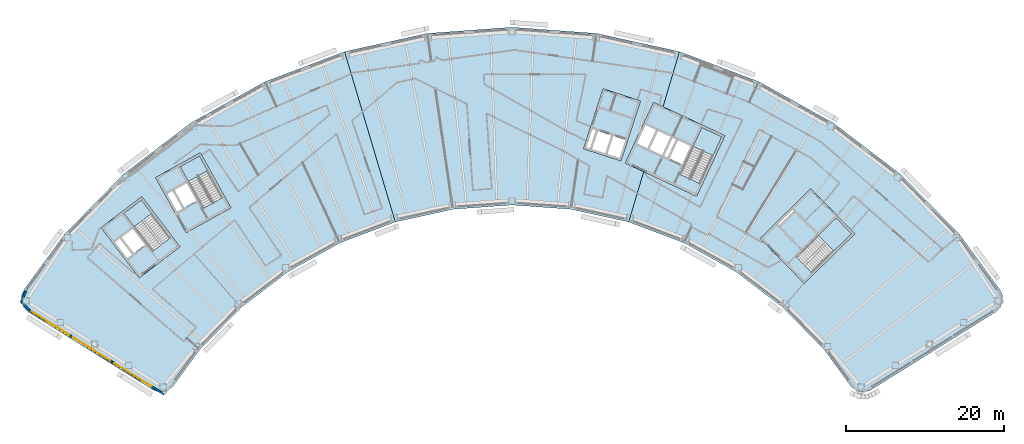
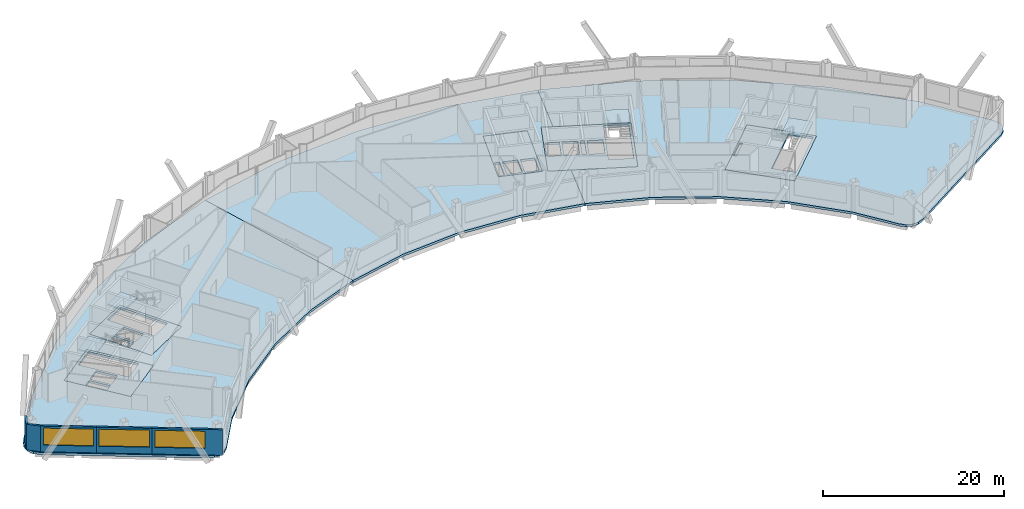
# One storey, part 4 of 14: 12 slabs, 5 walls, 3 windows, 3 openings, 4 elements without a shape of their own.
"""IFC4 building model written with IfcOpenShell, lengths in metres."""

from ifc_helpers import new_model, si_unit, direction, frame, frame_2d, origin, place, context, subcontext, project, spatial, polyline, rectangle, outline, extrude, material, layer, layer_set, type_object, element, fill, aggregate, save


model = new_model("IFC4")

# Units and contexts
model_context = context("Model", 3, precision=1e-05, world=origin(), true_north=direction((0.0, 1.0)))
body_context = subcontext(model_context, "Body", "Model", "MODEL_VIEW")
ifc_project = project(units=[si_unit("LENGTHUNIT", "METRE"), si_unit("AREAUNIT", "SQUARE_METRE"), si_unit("VOLUMEUNIT", "CUBIC_METRE"), si_unit("PLANEANGLEUNIT", "RADIAN"), si_unit("MASSUNIT", "GRAM", prefix="KILO")], contexts=[model_context])

# Site, building, storey
site_placement = place(None, origin())
site = spatial("IfcSite", under=ifc_project, at=site_placement, CompositionType="ELEMENT")
building_placement = place(site_placement, origin())
building = spatial("IfcBuilding", under=site, at=building_placement, Name="Tuul Gate Civic Tower", CompositionType="ELEMENT")
storey_placement = place(building_placement, frame((0.0, 0.0, 265.199951171875)))
storey = spatial("IfcBuildingStorey", under=building, at=storey_placement, Name="Level 60", CompositionType="ELEMENT", Elevation=265.199951171875)

# Slabs
ifc_material_1 = material(Name="Concrete C40/50", Category="concrete")
ifc_layer_1 = layer(ifc_material_1, 0.300048828125)
ifc_layer_set_1 = layer_set([ifc_layer_1], Name="Concrete C40/50")
slab_type_1 = type_object("IfcSlabType", Name="Core floor slab 300", PredefinedType="FLOOR", material=ifc_layer_set_1)
slab_1_placement = place(storey_placement, frame((0.0, 0.0, -0.300048828125)))
element("IfcSlab", 1, at=slab_1_placement, inside=storey, type_object=slab_type_1, Name="FLOOR SLAB", PredefinedType="FLOOR", context=body_context, shape_type="SweptSolid", body=[
    extrude(outline(polyline([(-31.10009765625, -13.7890625), (-35.946044921875, -7.423828125), (-41.11767578125, -11.361572265625), (-36.271484375, -17.726806640625), (-31.10009765625, -13.7890625)]), holes=[polyline([(-35.561767578125, -13.541259765625), (-37.1064453125, -11.512451171875), (-38.498779296875, -12.572509765625), (-36.9541015625, -14.6015625), (-35.561767578125, -13.541259765625)]), polyline([(-37.19287109375, -14.783203125), (-38.737548828125, -12.75439453125), (-39.45361328125, -13.299560546875), (-37.908935546875, -15.328369140625), (-37.19287109375, -14.783203125)]), polyline([(-32.33935546875, -12.65771484375), (-34.56591796875, -14.352783203125), (-38.229736328125, -9.54052734375), (-36.003173828125, -7.845458984375), (-32.33935546875, -12.65771484375)])]), origin(), (0.0, 0.0, 1.0), 0.300048828125),
])
slab_2_placement = place(storey_placement, frame((0.0, 0.0, -0.300048828125)))
element("IfcSlab", 2, at=slab_2_placement, inside=storey, type_object=slab_type_1, Name="FLOOR SLAB", PredefinedType="FLOOR", context=body_context, shape_type="SweptSolid", body=[
    extrude(outline(polyline([(-24.638916015625, -8.846923828125), (-28.51708984375, -1.849853515625), (-34.2021484375, -5.0009765625), (-30.32421875, -11.998046875), (-24.638916015625, -8.846923828125)]), holes=[polyline([(-29.0185546875, -7.958740234375), (-30.254638671875, -5.728515625), (-31.785400390625, -6.576904296875), (-30.54931640625, -8.80712890625), (-29.0185546875, -7.958740234375)]), polyline([(-30.8115234375, -8.95263671875), (-32.047607421875, -6.72216796875), (-32.8349609375, -7.158447265625), (-31.5986328125, -9.388916015625), (-30.8115234375, -8.95263671875)]), polyline([(-25.702392578125, -7.548828125), (-28.14990234375, -8.905517578125), (-31.08203125, -3.615234375), (-28.63427734375, -2.2587890625), (-25.702392578125, -7.548828125)])]), origin(), (0.0, 0.0, 1.0), 0.300048828125),
])
slab_3_placement = place(storey_placement, frame((0.0, 0.0, -0.300048828125)))
element("IfcSlab", 3, at=slab_3_placement, inside=storey, type_object=slab_type_1, Name="FLOOR SLAB", PredefinedType="FLOOR", context=body_context, shape_type="SweptSolid", body=[
    extrude(outline(polyline([(48.117919921875, -18.43310546875), (54.545166015625, -12.1328125), (48.945068359375, -6.419921875), (42.517822265625, -12.719970703125), (48.117919921875, -18.43310546875)]), holes=[polyline([(44.93896484375, -11.046875), (46.760009765625, -9.261962890625), (46.514892578125, -9.011962890625), (44.69384765625, -10.797119140625), (44.93896484375, -11.046875)]), polyline([(49.086181640625, -17.062744140625), (47.12744140625, -15.064208984375), (52.160888671875, -10.130126953125), (54.11962890625, -12.128662109375), (49.086181640625, -17.062744140625)])]), origin(), (0.0, 0.0, 1.0), 0.300048828125),
])
slab_4_placement = place(storey_placement, frame((0.0, 0.0, -0.300048828125)))
element("IfcSlab", 4, at=slab_4_placement, inside=storey, type_object=slab_type_1, Name="FLOOR SLAB", PredefinedType="FLOOR", context=body_context, shape_type="SweptSolid", body=[
    extrude(outline(polyline([(34.465087890625, -7.385986328125), (38.056884765625, 0.31787109375), (28.993896484375, 4.543701171875), (25.40185546875, -3.159912109375), (34.465087890625, -7.385986328125)]), holes=[polyline([(32.60888671875, -3.32080078125), (33.6865234375, -1.009765625), (32.1005859375, -0.27001953125), (31.02294921875, -2.581298828125), (32.60888671875, -3.32080078125)]), polyline([(30.0712890625, -2.137451171875), (31.14892578125, 0.173583984375), (29.562744140625, 0.9130859375), (28.4853515625, -1.39794921875), (30.0712890625, -2.137451171875)]), polyline([(30.751220703125, -2.454345703125), (31.82861328125, -0.143310546875), (31.4208984375, 0.046875), (30.34326171875, -2.264404296875), (30.751220703125, -2.454345703125)]), polyline([(28.21337890625, -1.27099609375), (29.291015625, 1.0400390625), (27.8408203125, 1.71630859375), (26.76318359375, -0.594970703125), (28.21337890625, -1.27099609375)]), polyline([(34.889892578125, -5.7626953125), (32.353759765625, -4.580078125), (35.120849609375, 1.354736328125), (37.6572265625, 0.17236328125), (34.889892578125, -5.7626953125)])]), origin(), (0.0, 0.0, 1.0), 0.300048828125),
])
ifc_material_2 = material(Name="Concrete C40/50", Category="concrete")
ifc_layer_2 = layer(ifc_material_2, 0.300048828125)
ifc_layer_set_2 = layer_set([ifc_layer_2], Name="Concrete C40/50")
slab_type_2 = type_object("IfcSlabType", Name="Core floor slab 300 non-bearing", PredefinedType="FLOOR", material=ifc_layer_set_2)
slab_5_placement = place(storey_placement, frame((0.0, 0.0, -0.300048828125)))
element("IfcSlab", 5, at=slab_5_placement, inside=storey, type_object=slab_type_2, Name="FLOOR SLAB", PredefinedType="FLOOR", context=body_context, shape_type="SweptSolid", body=[
    extrude(outline(polyline([(24.864990234375, -2.888916015625), (27.337890625, 4.71923828125), (22.58251953125, 6.264404296875), (20.109619140625, -1.343994140625), (24.864990234375, -2.888916015625)]), holes=[polyline([(24.67236328125, -2.510986328125), (25.414306640625, -0.228515625), (23.892578125, 0.265869140625), (23.150634765625, -2.0166015625), (24.67236328125, -2.510986328125)]), polyline([(22.865478515625, -1.923828125), (23.607177734375, 0.358642578125), (21.94287109375, 0.8994140625), (21.201171875, -1.383056640625), (22.865478515625, -1.923828125)]), polyline([(20.869384765625, -1.43310546875), (21.65771484375, 0.9921875), (21.0869140625, 1.177490234375), (20.298583984375, -1.24755859375), (20.869384765625, -1.43310546875)])]), origin(), (0.0, 0.0, 1.0), 0.300048828125),
])

# Stair, slab
ifc_material_3 = material(Name="Concrete C40/50", Category="concrete")
stair_type = type_object("IfcStairType", Name="Exit stair", PredefinedType="HALF_TURN_STAIR", material=ifc_material_3)
stair_1_placement = place(storey_placement, origin())
stair_1 = element("IfcStair", 6, at=stair_1_placement, inside=storey, type_object=stair_type, Name="Level 60 ST-1", PredefinedType="HALF_TURN_STAIR")
ifc_material_4 = material(Name="Concrete C40/50", Category="concrete")
ifc_layer_3 = layer(ifc_material_4, 0.199951171875)
ifc_layer_set_3 = layer_set([ifc_layer_3], Name="Concrete C40/50")
slab_type_3 = type_object("IfcSlabType", Name="Exit stair landing", PredefinedType="LANDING", material=ifc_layer_set_3)
slab_6_placement = place(storey_placement, frame((0.0, 0.0, 1.900146484375)))
slab_6 = element("IfcSlab", 7, at=slab_6_placement, type_object=slab_type_3, Name="ST-1 landing 1", PredefinedType="LANDING", context=body_context, shape_type="SweptSolid", body=[
    extrude(outline(polyline([(-34.699462890625, -9.554931640625), (-36.9287109375, -11.252197265625), (-38.23193359375, -9.540283203125), (-36.0029296875, -7.843017578125), (-34.699462890625, -9.554931640625)])), origin(), (0.0, 0.0, 1.0), 0.199951171875),
])
aggregate(stair_1, [slab_6])

stair_2_placement = place(storey_placement, origin())
stair_2 = element("IfcStair", 8, at=stair_2_placement, inside=storey, type_object=stair_type, Name="Level 60 ST-2", PredefinedType="HALF_TURN_STAIR")
slab_7_placement = place(storey_placement, frame((0.0, 0.0, 1.900146484375)))
slab_7 = element("IfcSlab", 9, at=slab_7_placement, type_object=slab_type_3, Name="ST-2 landing 1", PredefinedType="LANDING", context=body_context, shape_type="SweptSolid", body=[
    extrude(outline(polyline([(-27.5908203125, -4.138427734375), (-30.041015625, -5.49658203125), (-31.084228515625, -3.61474609375), (-28.6337890625, -2.256591796875), (-27.5908203125, -4.138427734375)])), origin(), (0.0, 0.0, 1.0), 0.199951171875),
])
aggregate(stair_2, [slab_7])

stair_3_placement = place(storey_placement, origin())
stair_3 = element("IfcStair", 10, at=stair_3_placement, inside=storey, type_object=stair_type, Name="Level 60 ST-3", PredefinedType="HALF_TURN_STAIR")
slab_8_placement = place(storey_placement, frame((0.0, 0.0, 1.900146484375)))
slab_8 = element("IfcSlab", 11, at=slab_8_placement, type_object=slab_type_3, Name="ST-3 landing 1", PredefinedType="LANDING", context=body_context, shape_type="SweptSolid", body=[
    extrude(outline(polyline([(51.871337890625, -14.3349609375), (49.91015625, -12.334228515625), (52.160888671875, -10.1279296875), (54.1220703125, -12.128662109375), (51.871337890625, -14.3349609375)])), origin(), (0.0, 0.0, 1.0), 0.199951171875),
])
aggregate(stair_3, [slab_8])

stair_4_placement = place(storey_placement, origin())
stair_4 = element("IfcStair", 12, at=stair_4_placement, inside=storey, type_object=stair_type, Name="Level 60 ST-4", PredefinedType="HALF_TURN_STAIR")
slab_9_placement = place(storey_placement, frame((0.0, 0.0, 1.900146484375)))
slab_9 = element("IfcSlab", 13, at=slab_9_placement, type_object=slab_type_3, Name="ST-4 landing 1", PredefinedType="LANDING", context=body_context, shape_type="SweptSolid", body=[
    extrude(outline(polyline([(36.538818359375, -2.230224609375), (33.999755859375, -1.046142578125), (35.1201171875, 1.35693359375), (37.659423828125, 0.173095703125), (36.538818359375, -2.230224609375)])), origin(), (0.0, 0.0, 1.0), 0.199951171875),
])
aggregate(stair_4, [slab_9])

# Slabs
ifc_material_5 = material(Name="Concrete C35/45", Category="concrete")
ifc_layer_4 = layer(ifc_material_5, 0.300048828125)
ifc_layer_set_4 = layer_set([ifc_layer_4], Name="Concrete C35/45")
slab_type_4 = type_object("IfcSlabType", Name="STR-FLOOR-SLAB-300", PredefinedType="FLOOR", material=ifc_layer_set_4)
slab_10_placement = place(storey_placement, frame((0.0, 0.0, -0.300048828125)))
element("IfcSlab", 14, at=slab_10_placement, inside=storey, type_object=slab_type_4, Name="Level 60/slab/W", PredefinedType="FLOOR", context=body_context, shape_type="SweptSolid", body=[
    extrude(outline(polyline([(-10.802978515625, -13.294921875), (-3.782958984375, -10.64111328125), (-10.217041015625, 10.98095703125), (-20.285888671875, 7.174072265625), (-29.699951171875, 1.955078125), (-38.264892578125, -4.56591796875), (-45.800048828125, -12.2529296875), (-50.881103515625, -19.208984375), (-51.217041015625, -19.951904296875), (-51.22900390625, -20.76806640625), (-50.9140625, -21.52001953125), (-50.324951171875, -22.0849609375), (-34.594970703125, -31.9140625), (-33.90087890625, -32.18408203125), (-33.156005859375, -32.181884765625), (-32.464111328125, -31.906982421875), (-31.919921875, -31.39697265625), (-28.591064453125, -26.839111328125), (-23.337890625, -21.47998046875), (-17.366943359375, -16.93408203125), (-10.802978515625, -13.294921875)]), holes=[polyline([(-31.10009765625, -13.7890625), (-36.27197265625, -17.72705078125), (-41.117919921875, -11.362060546875), (-35.946044921875, -7.424072265625), (-31.10009765625, -13.7890625)]), polyline([(-24.638916015625, -8.846923828125), (-30.323974609375, -11.998046875), (-34.201904296875, -5.0009765625), (-28.51708984375, -1.85009765625), (-24.638916015625, -8.846923828125)])]), origin(), (0.0, 0.0, 1.0), 0.300048828125),
])
slab_11_placement = place(storey_placement, frame((0.0, 0.0, -0.300048828125)))
element("IfcSlab", 15, at=slab_11_placement, inside=storey, type_object=slab_type_4, Name="Level 60/slab/M", PredefinedType="FLOOR", context=body_context, shape_type="SweptSolid", body=[
    extrude(outline(polyline([(18.51611328125, -9.02490234375), (25.844970703125, -10.64111328125), (27.74609375, -4.2529296875), (25.402099609375, -3.159912109375), (28.993896484375, 4.5439453125), (30.197021484375, 3.98291015625), (32.279052734375, 10.98095703125), (21.76708984375, 13.298095703125), (11.031005859375, 14.075927734375), (0.294921875, 13.298095703125), (-10.217041015625, 10.98095703125), (-3.782958984375, -10.64111328125), (3.5458984375, -9.02490234375), (11.031005859375, -8.48291015625), (18.51611328125, -9.02490234375)]), holes=[polyline([(20.110107421875, -1.343994140625), (22.58203125, 6.264892578125), (27.337890625, 4.719970703125), (24.864990234375, -2.888916015625), (20.110107421875, -1.343994140625)])]), origin(), (0.0, 0.0, 1.0), 0.300048828125),
])
slab_12_placement = place(storey_placement, frame((0.0, 0.0, -0.300048828125)))
element("IfcSlab", 16, at=slab_12_placement, inside=storey, type_object=slab_type_4, Name="Level 60/slab/E", PredefinedType="FLOOR", context=body_context, shape_type="SweptSolid", body=[
    extrude(outline(polyline([(55.962890625, -32.18408203125), (56.656982421875, -31.9140625), (72.386962890625, -22.0849609375), (72.97607421875, -21.52001953125), (73.291015625, -20.76806640625), (73.279052734375, -19.951904296875), (72.94189453125, -19.208984375), (67.862060546875, -12.2529296875), (60.325927734375, -4.56591796875), (51.761962890625, 1.955078125), (42.347900390625, 7.174072265625), (32.279052734375, 10.98095703125), (30.197021484375, 3.98291015625), (38.056884765625, 0.318115234375), (34.465087890625, -7.385986328125), (27.74609375, -4.2529296875), (25.844970703125, -10.64111328125), (32.864990234375, -13.294921875), (39.428955078125, -16.93408203125), (45.39990234375, -21.47998046875), (50.653076171875, -26.839111328125), (53.98193359375, -31.39697265625), (54.52587890625, -31.906982421875), (55.218017578125, -32.181884765625), (55.962890625, -32.18408203125)]), holes=[polyline([(48.117919921875, -18.43310546875), (42.51806640625, -12.719970703125), (48.945068359375, -6.419921875), (54.544921875, -12.133056640625), (48.117919921875, -18.43310546875)])]), origin(), (0.0, 0.0, 1.0), 0.300048828125),
])

# Walls
ifc_material_6 = material(Name="Precast concrete C40/50", Category="concrete")
ifc_layer_5 = layer(ifc_material_6, 0.25)
ifc_layer_set_5 = layer_set([ifc_layer_5], Name="Precast concrete C40/50")
wall_type = type_object("IfcWallType", Name="External wall", PredefinedType="STANDARD", material=ifc_layer_set_5)
wall_1_placement = place(storey_placement, frame((-50.645263671875, -19.3486328125, 0.0), z_axis=(0.0, 0.0, 1.0), x_axis=(-0.412995937313, -0.9107328674, 0.0)))
element("IfcWall", 17, at=wall_1_placement, inside=storey, type_object=wall_type, Name="External wall", PredefinedType="STANDARD", context=body_context, shape_type="SweptSolid", body=[
    extrude(rectangle(XDim=1.572998046875, YDim=0.25, at=frame_2d((0.78662109375, 0.0))), origin(), (0.0, 0.0, 1.0), 3.449951171875),
])
wall_2_placement = place(storey_placement, frame((-51.294921875, -20.78125, 0.0), z_axis=(0.0, 0.0, 1.0), x_axis=(0.722783622894, -0.69107440589, 0.0)))
element("IfcWall", 18, at=wall_2_placement, inside=storey, type_object=wall_type, Name="External wall", PredefinedType="STANDARD", context=body_context, shape_type="SweptSolid", body=[
    extrude(rectangle(XDim=1.570556640625, YDim=0.25, at=frame_2d((0.78515625, 0.0))), origin(), (0.0, 0.0, 1.0), 3.449951171875),
])

# Wall, opening, window
wall_3_placement = place(storey_placement, frame((-50.1796875, -21.85107421875, 0.0), z_axis=(0.0, 0.0, 1.0), x_axis=(0.848024923451, -0.529956346509, 0.0)))
wall_3 = element("IfcWall", 19, at=wall_3_placement, inside=storey, type_object=wall_type, Name="External wall", PredefinedType="STANDARD", context=body_context, shape_type="SweptSolid", body=[
    extrude(rectangle(XDim=6.182861328125, YDim=0.25, at=frame_2d((3.09130859375, 0.0))), origin(), (0.0, 0.0, 1.0), 3.449951171875),
])
opening_1_placement = place(wall_3_placement, frame((0.31640625, 0.0, 0.89990234375)))
opening_1 = element("IfcOpeningElement", 20, at=opening_1_placement, cuts=wall_3, Name="Opening W24", PredefinedType="OPENING", context=body_context, shape_type="SweptSolid", body=[
    extrude(rectangle(XDim=5.550048828125, YDim=2.300048828125, at=frame_2d((2.77490234375, 1.14990234375))), frame((0.0, 0.135009765625, 0.0), z_axis=(0.0, -1.0, 0.0), x_axis=(1.0, 0.0, 0.0)), (0.0, 0.0, 1.0), 0.27001953125),
])
ifc_material_7 = material(Name="Glass", Category="glass")
window_type = type_object("IfcWindowType", Name="Window W24 5550 x 2300", PartitioningType="SINGLE_PANEL", PredefinedType="WINDOW", material=ifc_material_7)
window_1_placement = place(opening_1_placement, origin())
window_1 = element("IfcWindow", 21, at=window_1_placement, inside=storey, type_object=window_type, Name="Window", OverallHeight=2.300048828125, OverallWidth=5.550048828125, PartitioningType="SINGLE_PANEL", PredefinedType="WINDOW", context=body_context, shape_type="SweptSolid", body=[
    extrude(rectangle(XDim=5.550048828125, YDim=2.300048828125, at=frame_2d((2.77490234375, 1.14990234375))), frame((0.0, 0.030029296875, 0.0), z_axis=(0.0, -1.0, 0.0), x_axis=(1.0, 0.0, 0.0)), (0.0, 0.0, 1.0), 0.06005859375),
])
fill(opening_1, window_1)

wall_4_placement = place(storey_placement, frame((-44.9365234375, -25.127685546875, 0.0), z_axis=(0.0, 0.0, 1.0), x_axis=(0.848036012993, -0.529938600846, 0.0)))
wall_4 = element("IfcWall", 22, at=wall_4_placement, inside=storey, type_object=wall_type, Name="External wall", PredefinedType="STANDARD", context=body_context, shape_type="SweptSolid", body=[
    extrude(rectangle(XDim=6.18310546875, YDim=0.25, at=frame_2d((3.091552734375, 0.0))), origin(), (0.0, 0.0, 1.0), 3.449951171875),
])
opening_2_placement = place(wall_4_placement, frame((0.31640625, 0.0, 0.89990234375)))
opening_2 = element("IfcOpeningElement", 23, at=opening_2_placement, cuts=wall_4, Name="Opening W24", PredefinedType="OPENING", context=body_context, shape_type="SweptSolid", body=[
    extrude(rectangle(XDim=5.550048828125, YDim=2.300048828125, at=frame_2d((2.77490234375, 1.14990234375))), frame((0.0, 0.135009765625, 0.0), z_axis=(0.0, -1.0, 0.0), x_axis=(1.0, 0.0, 0.0)), (0.0, 0.0, 1.0), 0.27001953125),
])
window_2_placement = place(opening_2_placement, origin())
window_2 = element("IfcWindow", 24, at=window_2_placement, inside=storey, type_object=window_type, Name="Window", OverallHeight=2.300048828125, OverallWidth=5.550048828125, PartitioningType="SINGLE_PANEL", PredefinedType="WINDOW", context=body_context, shape_type="SweptSolid", body=[
    extrude(rectangle(XDim=5.550048828125, YDim=2.300048828125, at=frame_2d((2.77490234375, 1.14990234375))), frame((0.0, 0.030029296875, 0.0), z_axis=(0.0, -1.0, 0.0), x_axis=(1.0, 0.0, 0.0)), (0.0, 0.0, 1.0), 0.06005859375),
])
fill(opening_2, window_2)

wall_5_placement = place(storey_placement, frame((-39.693115234375, -28.404296875, 0.0), z_axis=(0.0, 0.0, 1.0), x_axis=(0.848019436648, -0.529965126274, 0.0)))
wall_5 = element("IfcWall", 25, at=wall_5_placement, inside=storey, type_object=wall_type, Name="External wall", PredefinedType="STANDARD", context=body_context, shape_type="SweptSolid", body=[
    extrude(rectangle(XDim=7.7880859375, YDim=0.25, at=frame_2d((3.89404296875, 0.0))), origin(), (0.0, 0.0, 1.0), 3.449951171875),
])
opening_3_placement = place(wall_5_placement, frame((0.31640625, 0.0, 0.89990234375)))
opening_3 = element("IfcOpeningElement", 26, at=opening_3_placement, cuts=wall_5, Name="Opening W24", PredefinedType="OPENING", context=body_context, shape_type="SweptSolid", body=[
    extrude(rectangle(XDim=5.550048828125, YDim=2.300048828125, at=frame_2d((2.77490234375, 1.14990234375))), frame((0.0, 0.135009765625, 0.0), z_axis=(0.0, -1.0, 0.0), x_axis=(1.0, 0.0, 0.0)), (0.0, 0.0, 1.0), 0.27001953125),
])
window_3_placement = place(opening_3_placement, origin())
window_3 = element("IfcWindow", 27, at=window_3_placement, inside=storey, type_object=window_type, Name="Window", OverallHeight=2.300048828125, OverallWidth=5.550048828125, PartitioningType="SINGLE_PANEL", PredefinedType="WINDOW", context=body_context, shape_type="SweptSolid", body=[
    extrude(rectangle(XDim=5.550048828125, YDim=2.300048828125, at=frame_2d((2.77490234375, 1.14990234375))), frame((0.0, 0.030029296875, 0.0), z_axis=(0.0, -1.0, 0.0), x_axis=(1.0, 0.0, 0.0)), (0.0, 0.0, 1.0), 0.06005859375),
])
fill(opening_3, window_3)

save(model, "model.ifc")
